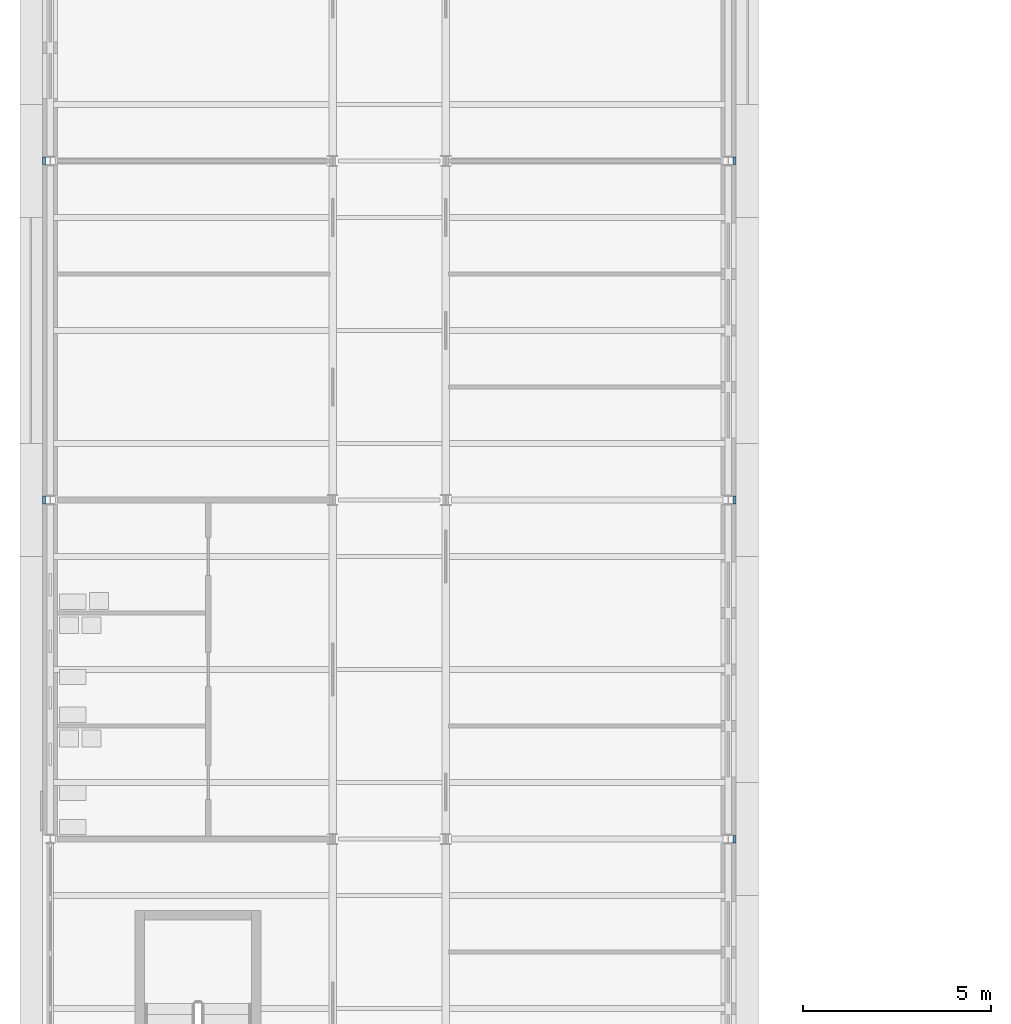
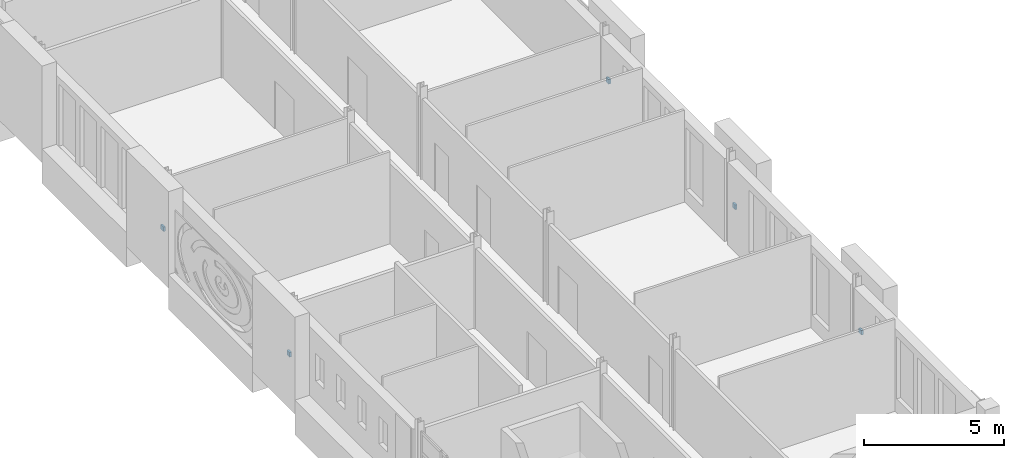
# One storey, part 98 of 121: 5 discrete accessories.
"""IFC4 building model written with IfcOpenShell, lengths in metres."""

from ifc_helpers import new_model, si_unit, direction, frame, origin, origin_2d, place, context, subcontext, project, spatial, rectangle, extrude, material, type_object, element, save


model = new_model("IFC4")

# Units and contexts
model_context = context("Model", 3, precision=1e-05, world=origin(), true_north=direction((0.0, 1.0)))
body_context = subcontext(model_context, "Body", "Model", "MODEL_VIEW")
ifc_project = project(units=[si_unit("LENGTHUNIT", "METRE"), si_unit("AREAUNIT", "SQUARE_METRE"), si_unit("VOLUMEUNIT", "CUBIC_METRE"), si_unit("PLANEANGLEUNIT", "RADIAN"), si_unit("MASSUNIT", "GRAM", prefix="KILO")], contexts=[model_context])

# Site, building, storey
site_placement = place(None, origin())
site = spatial("IfcSite", under=ifc_project, at=site_placement, CompositionType="ELEMENT")
building_placement = place(site_placement, origin())
building = spatial("IfcBuilding", under=site, at=building_placement, Name="Golden Quay Civic Hall", CompositionType="ELEMENT")
storey_placement = place(building_placement, frame((0.0, 0.0, 18.60009765625)))
storey = spatial("IfcBuildingStorey", under=building, at=storey_placement, Name="L04", CompositionType="ELEMENT", Elevation=18.60009765625)

# Discrete accessories
ifc_material = material(Name="Steel S355", Category="steel")
discrete_accessory_type = type_object("IfcDiscreteAccessoryType", Name="Pier fixing bracket 200 x 200", PredefinedType="BRACKET", material=ifc_material)
for number, where, z_axis, x_axis, name in (
    (1, (-0.159912109375, 9.0, 1.39990234375), (0.0, 0.0, 1.0), (0.0, -1.0, 0.0), "Pier fixing bracket 200 x 200 L04 1"),
    (2, (-0.159912109375, 18.0, 1.39990234375), (0.0, 0.0, 1.0), (0.0, -1.0, 0.0), "Pier fixing bracket 200 x 200 L04 2"),
    (3, (18.159912109375, 0.0, 1.39990234375), (0.0, 0.0, 1.0), (0.0, 1.0, 0.0), "Pier fixing bracket 200 x 200 L04 8"),
    (4, (18.159912109375, 9.0, 1.39990234375), (0.0, 0.0, 1.0), (0.0, 1.0, 0.0), "Pier fixing bracket 200 x 200 L04 9"),
    (5, (18.159912109375, 18.0, 1.39990234375), (0.0, 0.0, 1.0), (0.0, 1.0, 0.0), "Pier fixing bracket 200 x 200 L04 10"),
):
    element("IfcDiscreteAccessory", number, at=place(storey_placement, frame(where, z_axis=z_axis, x_axis=x_axis)), inside=storey, type_object=discrete_accessory_type, Name=name, PredefinedType="BRACKET", context=body_context, shape_type="SweptSolid", body=[
        extrude(rectangle(XDim=0.199951171875, YDim=0.080078125, at=origin_2d()), origin(), (0.0, 0.0, 1.0), 0.199951171875),
    ])

save(model, "model.ifc")
